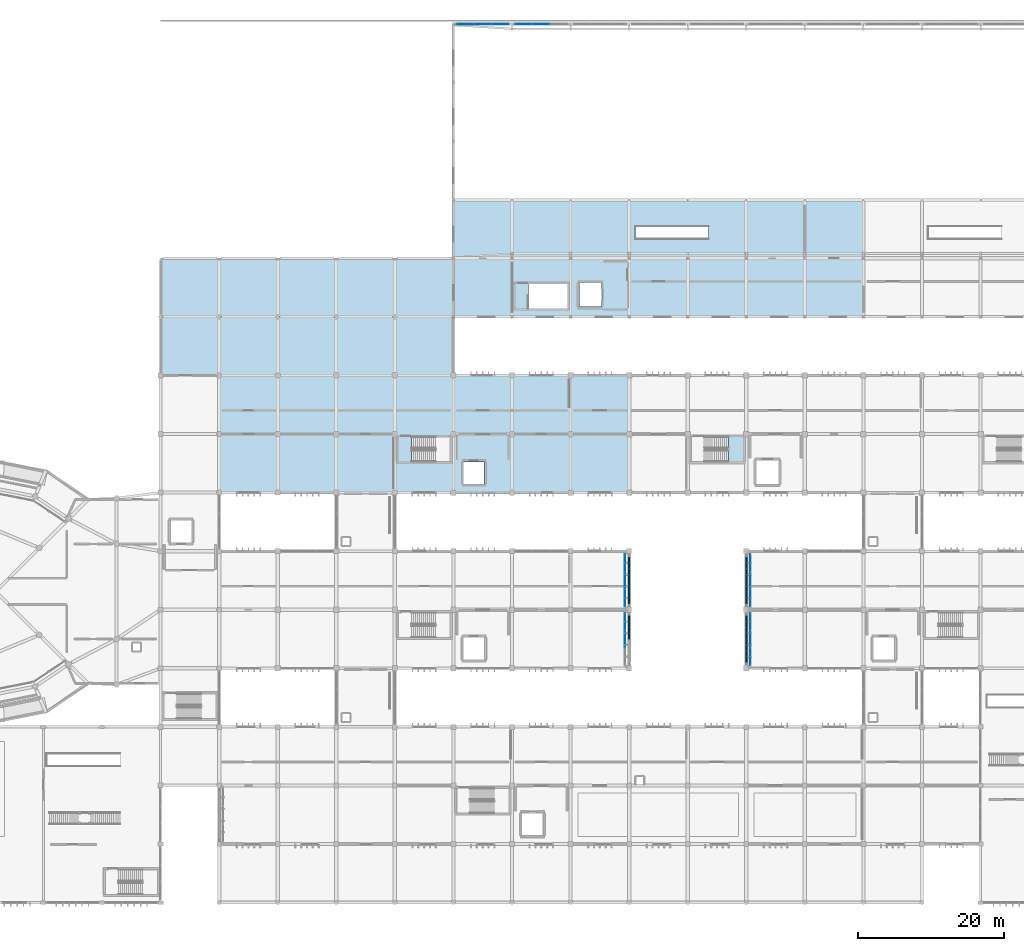
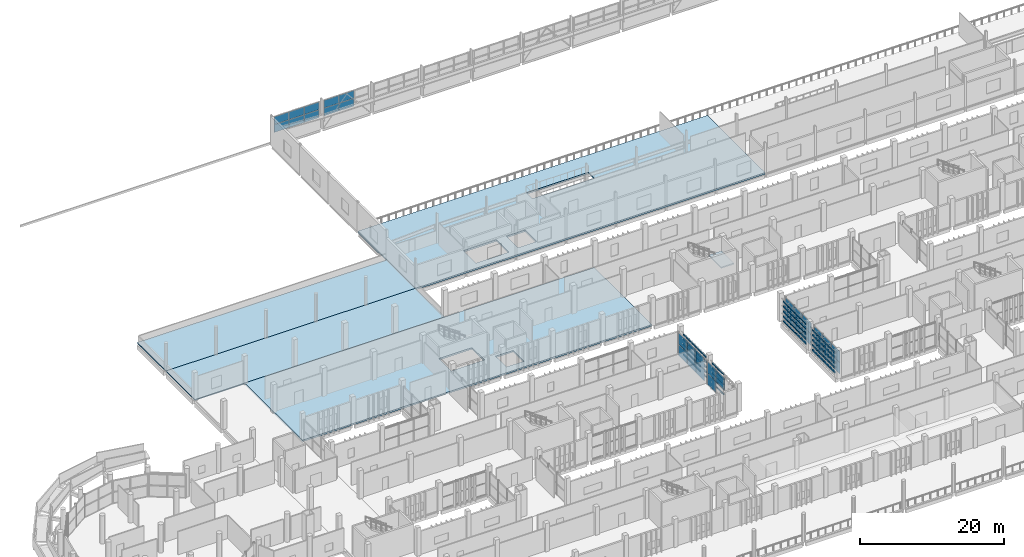
# One storey, part 72 of 106: 101 plates, 5 slabs, 7 elements without a shape of their own.
"""IFC4 building model written with IfcOpenShell, lengths in metres."""

from ifc_helpers import new_model, si_unit, direction, frame, origin, origin_2d, place, context, subcontext, project, spatial, polyline, rectangle, outline, extrude, material, layer, layer_set, type_object, element, aggregate, save


model = new_model("IFC4")

# Units and contexts
model_context = context("Model", 3, precision=1e-05, world=origin(), true_north=direction((0.0, 1.0)))
body_context = subcontext(model_context, "Body", "Model", "MODEL_VIEW")
ifc_project = project(units=[si_unit("LENGTHUNIT", "METRE"), si_unit("AREAUNIT", "SQUARE_METRE"), si_unit("VOLUMEUNIT", "CUBIC_METRE"), si_unit("PLANEANGLEUNIT", "RADIAN"), si_unit("MASSUNIT", "GRAM", prefix="KILO")], contexts=[model_context])

# Site, building, storey
site_placement = place(None, origin())
site = spatial("IfcSite", under=ifc_project, at=site_placement, CompositionType="ELEMENT")
building_placement = place(site_placement, origin())
building = spatial("IfcBuilding", under=site, at=building_placement, Name="Jelvoka-Kovrelna Polytechnic", CompositionType="ELEMENT")
storey_placement = place(building_placement, frame((0.0, 0.0, 4.800048828125)))
storey = spatial("IfcBuildingStorey", under=building, at=storey_placement, Name="L02", CompositionType="ELEMENT", Elevation=4.800048828125)

# Curtain wall, plates
ifc_material_1 = material(Name="Anodised aluminium 6063-T6", Category="aluminium")
ifc_layer_1 = layer(ifc_material_1, 0.159912109375)
ifc_layer_set_1 = layer_set([ifc_layer_1], Name="Anodised aluminium 6063-T6")
curtain_wall_type_1 = type_object("IfcCurtainWallType", Name="CW_Recessed_A", PredefinedType="NOTDEFINED", material=ifc_layer_set_1)
curtain_wall_1_placement = place(storey_placement, origin())
curtain_wall_1 = element("IfcCurtainWall", 1, at=curtain_wall_1_placement, inside=storey, type_object=curtain_wall_type_1, Name="L02 glazed curtain wall 019", PredefinedType="NOTDEFINED")
ifc_material_2 = material(Name="Solar-control double glazing", Category="glass")
ifc_layer_2 = layer(ifc_material_2, 0.028076171875)
ifc_layer_set_2 = layer_set([ifc_layer_2], Name="Solar-control double glazing")
plate_type_1 = type_object("IfcPlateType", Name="Panel_GP-01", PredefinedType="CURTAIN_PANEL", material=ifc_layer_set_2)
plate_1_placement = place(storey_placement, frame((111.43994140625, 38.385009765625, 0.052001953125), z_axis=(0.0, 0.0, 1.0), x_axis=(0.0, -1.0, 0.0)))
plate_1 = element("IfcPlate", 2, at=plate_1_placement, type_object=plate_type_1, Name="CW-01 panel 1.1", PredefinedType="CURTAIN_PANEL", context=body_context, shape_type="SweptSolid", body=[
    extrude(rectangle(XDim=2.326171875, YDim=0.028076171875, at=origin_2d()), origin(), (0.0, 0.0, 1.0), 1.901123046875),
])
plate_2_placement = place(storey_placement, frame((111.43994140625, 38.385009765625, 1.996826171875), z_axis=(0.0, 0.0, 1.0), x_axis=(0.0, -1.0, 0.0)))
plate_2 = element("IfcPlate", 3, at=plate_2_placement, type_object=plate_type_1, Name="CW-01 panel 1.2", PredefinedType="CURTAIN_PANEL", context=body_context, shape_type="SweptSolid", body=[
    extrude(rectangle(XDim=2.326171875, YDim=0.028076171875, at=origin_2d()), origin(), (0.0, 0.0, 1.0), 1.901123046875),
])
plate_3_placement = place(storey_placement, frame((111.43994140625, 36.0, 1.996826171875), z_axis=(0.0, 0.0, 1.0), x_axis=(0.0, -1.0, 0.0)))
plate_3 = element("IfcPlate", 4, at=plate_3_placement, type_object=plate_type_1, Name="CW-01 panel 2.2", PredefinedType="CURTAIN_PANEL", context=body_context, shape_type="SweptSolid", body=[
    extrude(rectangle(XDim=2.356201171875, YDim=0.028076171875, at=origin_2d()), origin(), (0.0, 0.0, 1.0), 1.901123046875),
])
aggregate(curtain_wall_1, [plate_1, plate_2, plate_3])

curtain_wall_2_placement = place(storey_placement, origin())
curtain_wall_2 = element("IfcCurtainWall", 5, at=curtain_wall_2_placement, inside=storey, type_object=curtain_wall_type_1, Name="L02 glazed curtain wall 020", PredefinedType="NOTDEFINED")
plate_4_placement = place(storey_placement, frame((111.43994140625, 46.385009765625, 0.052001953125), z_axis=(0.0, 0.0, 1.0), x_axis=(0.0, -1.0, 0.0)))
plate_4 = element("IfcPlate", 6, at=plate_4_placement, type_object=plate_type_1, Name="CW-01 panel 1.1", PredefinedType="CURTAIN_PANEL", context=body_context, shape_type="SweptSolid", body=[
    extrude(rectangle(XDim=2.326171875, YDim=0.028076171875, at=origin_2d()), origin(), (0.0, 0.0, 1.0), 1.901123046875),
])
plate_5_placement = place(storey_placement, frame((111.43994140625, 46.385009765625, 1.996826171875), z_axis=(0.0, 0.0, 1.0), x_axis=(0.0, -1.0, 0.0)))
plate_5 = element("IfcPlate", 7, at=plate_5_placement, type_object=plate_type_1, Name="CW-01 panel 1.2", PredefinedType="CURTAIN_PANEL", context=body_context, shape_type="SweptSolid", body=[
    extrude(rectangle(XDim=2.326171875, YDim=0.028076171875, at=origin_2d()), origin(), (0.0, 0.0, 1.0), 1.901123046875),
])
plate_6_placement = place(storey_placement, frame((111.43994140625, 44.0, 0.052001953125), z_axis=(0.0, 0.0, 1.0), x_axis=(0.0, -1.0, 0.0)))
plate_6 = element("IfcPlate", 8, at=plate_6_placement, type_object=plate_type_1, Name="CW-01 panel 2.1", PredefinedType="CURTAIN_PANEL", context=body_context, shape_type="SweptSolid", body=[
    extrude(rectangle(XDim=2.356201171875, YDim=0.028076171875, at=origin_2d()), origin(), (0.0, 0.0, 1.0), 1.901123046875),
])
plate_7_placement = place(storey_placement, frame((111.43994140625, 44.0, 1.996826171875), z_axis=(0.0, 0.0, 1.0), x_axis=(0.0, -1.0, 0.0)))
plate_7 = element("IfcPlate", 9, at=plate_7_placement, type_object=plate_type_1, Name="CW-01 panel 2.2", PredefinedType="CURTAIN_PANEL", context=body_context, shape_type="SweptSolid", body=[
    extrude(rectangle(XDim=2.356201171875, YDim=0.028076171875, at=origin_2d()), origin(), (0.0, 0.0, 1.0), 1.901123046875),
])
plate_8_placement = place(storey_placement, frame((111.43994140625, 41.614990234375, 0.052001953125), z_axis=(0.0, 0.0, 1.0), x_axis=(0.0, -1.0, 0.0)))
plate_8 = element("IfcPlate", 10, at=plate_8_placement, type_object=plate_type_1, Name="CW-01 panel 3.1", PredefinedType="CURTAIN_PANEL", context=body_context, shape_type="SweptSolid", body=[
    extrude(rectangle(XDim=2.326171875, YDim=0.028076171875, at=origin_2d()), origin(), (0.0, 0.0, 1.0), 1.901123046875),
])
plate_9_placement = place(storey_placement, frame((111.43994140625, 41.614990234375, 1.996826171875), z_axis=(0.0, 0.0, 1.0), x_axis=(0.0, -1.0, 0.0)))
plate_9 = element("IfcPlate", 11, at=plate_9_placement, type_object=plate_type_1, Name="CW-01 panel 3.2", PredefinedType="CURTAIN_PANEL", context=body_context, shape_type="SweptSolid", body=[
    extrude(rectangle(XDim=2.326171875, YDim=0.028076171875, at=origin_2d()), origin(), (0.0, 0.0, 1.0), 1.901123046875),
])
aggregate(curtain_wall_2, [plate_4, plate_5, plate_6, plate_7, plate_8, plate_9])

curtain_wall_3_placement = place(storey_placement, origin())
curtain_wall_3 = element("IfcCurtainWall", 12, at=curtain_wall_3_placement, inside=storey, type_object=curtain_wall_type_1, Name="L02 glazed curtain wall 050", PredefinedType="NOTDEFINED")
plate_10_placement = place(storey_placement, frame((128.56005859375, 33.614990234375, 0.052001953125), z_axis=(0.0, 0.0, 1.0), x_axis=(0.0, 1.0, 0.0)))
plate_10 = element("IfcPlate", 13, at=plate_10_placement, type_object=plate_type_1, Name="CW-01 panel 1.1", PredefinedType="CURTAIN_PANEL", context=body_context, shape_type="SweptSolid", body=[
    extrude(rectangle(XDim=2.326171875, YDim=0.028076171875, at=origin_2d()), origin(), (0.0, 0.0, 1.0), 1.901123046875),
])
plate_11_placement = place(storey_placement, frame((128.56005859375, 33.614990234375, 1.996826171875), z_axis=(0.0, 0.0, 1.0), x_axis=(0.0, 1.0, 0.0)))
plate_11 = element("IfcPlate", 14, at=plate_11_placement, type_object=plate_type_1, Name="CW-01 panel 1.2", PredefinedType="CURTAIN_PANEL", context=body_context, shape_type="SweptSolid", body=[
    extrude(rectangle(XDim=2.326171875, YDim=0.028076171875, at=origin_2d()), origin(), (0.0, 0.0, 1.0), 1.901123046875),
])
plate_12_placement = place(storey_placement, frame((128.56005859375, 36.0, 0.052001953125), z_axis=(0.0, 0.0, 1.0), x_axis=(0.0, 1.0, 0.0)))
plate_12 = element("IfcPlate", 15, at=plate_12_placement, type_object=plate_type_1, Name="CW-01 panel 2.1", PredefinedType="CURTAIN_PANEL", context=body_context, shape_type="SweptSolid", body=[
    extrude(rectangle(XDim=2.356201171875, YDim=0.028076171875, at=origin_2d()), origin(), (0.0, 0.0, 1.0), 1.901123046875),
])
plate_13_placement = place(storey_placement, frame((128.56005859375, 36.0, 1.996826171875), z_axis=(0.0, 0.0, 1.0), x_axis=(0.0, 1.0, 0.0)))
plate_13 = element("IfcPlate", 16, at=plate_13_placement, type_object=plate_type_1, Name="CW-01 panel 2.2", PredefinedType="CURTAIN_PANEL", context=body_context, shape_type="SweptSolid", body=[
    extrude(rectangle(XDim=2.356201171875, YDim=0.028076171875, at=origin_2d()), origin(), (0.0, 0.0, 1.0), 1.901123046875),
])
plate_14_placement = place(storey_placement, frame((128.56005859375, 38.385009765625, 0.052001953125), z_axis=(0.0, 0.0, 1.0), x_axis=(0.0, 1.0, 0.0)))
plate_14 = element("IfcPlate", 17, at=plate_14_placement, type_object=plate_type_1, Name="CW-01 panel 3.1", PredefinedType="CURTAIN_PANEL", context=body_context, shape_type="SweptSolid", body=[
    extrude(rectangle(XDim=2.326171875, YDim=0.028076171875, at=origin_2d()), origin(), (0.0, 0.0, 1.0), 1.901123046875),
])
plate_15_placement = place(storey_placement, frame((128.56005859375, 38.385009765625, 1.996826171875), z_axis=(0.0, 0.0, 1.0), x_axis=(0.0, 1.0, 0.0)))
plate_15 = element("IfcPlate", 18, at=plate_15_placement, type_object=plate_type_1, Name="CW-01 panel 3.2", PredefinedType="CURTAIN_PANEL", context=body_context, shape_type="SweptSolid", body=[
    extrude(rectangle(XDim=2.326171875, YDim=0.028076171875, at=origin_2d()), origin(), (0.0, 0.0, 1.0), 1.901123046875),
])
aggregate(curtain_wall_3, [plate_10, plate_11, plate_12, plate_13, plate_14, plate_15])

curtain_wall_4_placement = place(storey_placement, origin())
curtain_wall_4 = element("IfcCurtainWall", 19, at=curtain_wall_4_placement, inside=storey, type_object=curtain_wall_type_1, Name="L02 glazed curtain wall 051", PredefinedType="NOTDEFINED")
plate_16_placement = place(storey_placement, frame((128.56005859375, 41.614990234375, 0.052001953125), z_axis=(0.0, 0.0, 1.0), x_axis=(0.0, 1.0, 0.0)))
plate_16 = element("IfcPlate", 20, at=plate_16_placement, type_object=plate_type_1, Name="CW-01 panel 1.1", PredefinedType="CURTAIN_PANEL", context=body_context, shape_type="SweptSolid", body=[
    extrude(rectangle(XDim=2.326171875, YDim=0.028076171875, at=origin_2d()), origin(), (0.0, 0.0, 1.0), 1.901123046875),
])
plate_17_placement = place(storey_placement, frame((128.56005859375, 41.614990234375, 1.996826171875), z_axis=(0.0, 0.0, 1.0), x_axis=(0.0, 1.0, 0.0)))
plate_17 = element("IfcPlate", 21, at=plate_17_placement, type_object=plate_type_1, Name="CW-01 panel 1.2", PredefinedType="CURTAIN_PANEL", context=body_context, shape_type="SweptSolid", body=[
    extrude(rectangle(XDim=2.326171875, YDim=0.028076171875, at=origin_2d()), origin(), (0.0, 0.0, 1.0), 1.901123046875),
])
plate_18_placement = place(storey_placement, frame((128.56005859375, 44.0, 0.052001953125), z_axis=(0.0, 0.0, 1.0), x_axis=(0.0, 1.0, 0.0)))
plate_18 = element("IfcPlate", 22, at=plate_18_placement, type_object=plate_type_1, Name="CW-01 panel 2.1", PredefinedType="CURTAIN_PANEL", context=body_context, shape_type="SweptSolid", body=[
    extrude(rectangle(XDim=2.356201171875, YDim=0.028076171875, at=origin_2d()), origin(), (0.0, 0.0, 1.0), 1.901123046875),
])
plate_19_placement = place(storey_placement, frame((128.56005859375, 44.0, 1.996826171875), z_axis=(0.0, 0.0, 1.0), x_axis=(0.0, 1.0, 0.0)))
plate_19 = element("IfcPlate", 23, at=plate_19_placement, type_object=plate_type_1, Name="CW-01 panel 2.2", PredefinedType="CURTAIN_PANEL", context=body_context, shape_type="SweptSolid", body=[
    extrude(rectangle(XDim=2.356201171875, YDim=0.028076171875, at=origin_2d()), origin(), (0.0, 0.0, 1.0), 1.901123046875),
])
plate_20_placement = place(storey_placement, frame((128.56005859375, 46.385009765625, 0.052001953125), z_axis=(0.0, 0.0, 1.0), x_axis=(0.0, 1.0, 0.0)))
plate_20 = element("IfcPlate", 24, at=plate_20_placement, type_object=plate_type_1, Name="CW-01 panel 3.1", PredefinedType="CURTAIN_PANEL", context=body_context, shape_type="SweptSolid", body=[
    extrude(rectangle(XDim=2.326171875, YDim=0.028076171875, at=origin_2d()), origin(), (0.0, 0.0, 1.0), 1.901123046875),
])
plate_21_placement = place(storey_placement, frame((128.56005859375, 46.385009765625, 1.996826171875), z_axis=(0.0, 0.0, 1.0), x_axis=(0.0, 1.0, 0.0)))
plate_21 = element("IfcPlate", 25, at=plate_21_placement, type_object=plate_type_1, Name="CW-01 panel 3.2", PredefinedType="CURTAIN_PANEL", context=body_context, shape_type="SweptSolid", body=[
    extrude(rectangle(XDim=2.326171875, YDim=0.028076171875, at=origin_2d()), origin(), (0.0, 0.0, 1.0), 1.901123046875),
])
aggregate(curtain_wall_4, [plate_16, plate_17, plate_18, plate_19, plate_20, plate_21])

ifc_material_3 = material(Name="Anodised aluminium 6063-T6", Category="aluminium")
ifc_layer_3 = layer(ifc_material_3, 0.199951171875)
ifc_layer_set_3 = layer_set([ifc_layer_3], Name="Anodised aluminium 6063-T6")
curtain_wall_type_2 = type_object("IfcCurtainWallType", Name="CW_Clerestory", PredefinedType="NOTDEFINED", material=ifc_layer_set_3)
curtain_wall_5_placement = place(storey_placement, origin())
curtain_wall_5 = element("IfcCurtainWall", 26, at=curtain_wall_5_placement, inside=storey, type_object=curtain_wall_type_2, Name="L02 glazed curtain wall 169", PredefinedType="NOTDEFINED")
ifc_material_4 = material(Name="Solar-control double glazing", Category="glass")
ifc_layer_4 = layer(ifc_material_4, 0.035888671875)
ifc_layer_set_4 = layer_set([ifc_layer_4], Name="Solar-control double glazing")
plate_type_2 = type_object("IfcPlateType", Name="Panel_GP-03", PredefinedType="CURTAIN_PANEL", material=ifc_layer_set_4)
plate_22_placement = place(storey_placement, frame((89.5908203125, 120.0, 2.011962890625), z_axis=(0.0, 0.0, 1.0), x_axis=(1.0, 0.0, 0.0)))
plate_22 = element("IfcPlate", 27, at=plate_22_placement, type_object=plate_type_2, Name="CW-03 panel 1.1", PredefinedType="CURTAIN_PANEL", context=body_context, shape_type="SweptSolid", body=[
    extrude(rectangle(XDim=2.337890625, YDim=0.035888671875, at=origin_2d()), origin(), (0.0, 0.0, 1.0), 1.296142578125),
])
plate_23_placement = place(storey_placement, frame((89.5908203125, 120.0, 3.362060546875), z_axis=(0.0, 0.0, 1.0), x_axis=(1.0, 0.0, 0.0)))
plate_23 = element("IfcPlate", 28, at=plate_23_placement, type_object=plate_type_2, Name="CW-03 panel 1.2", PredefinedType="CURTAIN_PANEL", context=body_context, shape_type="SweptSolid", body=[
    extrude(rectangle(XDim=2.337890625, YDim=0.035888671875, at=origin_2d()), origin(), (0.0, 0.0, 1.0), 1.296142578125),
])
plate_24_placement = place(storey_placement, frame((92.0, 120.0, 2.011962890625), z_axis=(0.0, 0.0, 1.0), x_axis=(1.0, 0.0, 0.0)))
plate_24 = element("IfcPlate", 29, at=plate_24_placement, type_object=plate_type_2, Name="CW-03 panel 2.1", PredefinedType="CURTAIN_PANEL", context=body_context, shape_type="SweptSolid", body=[
    extrude(rectangle(XDim=2.372802734375, YDim=0.035888671875, at=origin_2d()), origin(), (0.0, 0.0, 1.0), 1.296142578125),
])
plate_25_placement = place(storey_placement, frame((92.0, 120.0, 3.362060546875), z_axis=(0.0, 0.0, 1.0), x_axis=(1.0, 0.0, 0.0)))
plate_25 = element("IfcPlate", 30, at=plate_25_placement, type_object=plate_type_2, Name="CW-03 panel 2.2", PredefinedType="CURTAIN_PANEL", context=body_context, shape_type="SweptSolid", body=[
    extrude(rectangle(XDim=2.372802734375, YDim=0.035888671875, at=origin_2d()), origin(), (0.0, 0.0, 1.0), 1.296142578125),
])
plate_26_placement = place(storey_placement, frame((94.4091796875, 120.0, 2.011962890625), z_axis=(0.0, 0.0, 1.0), x_axis=(1.0, 0.0, 0.0)))
plate_26 = element("IfcPlate", 31, at=plate_26_placement, type_object=plate_type_2, Name="CW-03 panel 3.1", PredefinedType="CURTAIN_PANEL", context=body_context, shape_type="SweptSolid", body=[
    extrude(rectangle(XDim=2.337890625, YDim=0.035888671875, at=origin_2d()), origin(), (0.0, 0.0, 1.0), 1.296142578125),
])
plate_27_placement = place(storey_placement, frame((94.4091796875, 120.0, 3.362060546875), z_axis=(0.0, 0.0, 1.0), x_axis=(1.0, 0.0, 0.0)))
plate_27 = element("IfcPlate", 32, at=plate_27_placement, type_object=plate_type_2, Name="CW-03 panel 3.2", PredefinedType="CURTAIN_PANEL", context=body_context, shape_type="SweptSolid", body=[
    extrude(rectangle(XDim=2.337890625, YDim=0.035888671875, at=origin_2d()), origin(), (0.0, 0.0, 1.0), 1.296142578125),
])
aggregate(curtain_wall_5, [plate_22, plate_23, plate_24, plate_25, plate_26, plate_27])

curtain_wall_6_placement = place(storey_placement, origin())
curtain_wall_6 = element("IfcCurtainWall", 33, at=curtain_wall_6_placement, inside=storey, type_object=curtain_wall_type_2, Name="L02 glazed curtain wall 170", PredefinedType="NOTDEFINED")
plate_28_placement = place(storey_placement, frame((97.5908203125, 120.0, 2.011962890625), z_axis=(0.0, 0.0, 1.0), x_axis=(1.0, 0.0, 0.0)))
plate_28 = element("IfcPlate", 34, at=plate_28_placement, type_object=plate_type_2, Name="CW-03 panel 1.1", PredefinedType="CURTAIN_PANEL", context=body_context, shape_type="SweptSolid", body=[
    extrude(rectangle(XDim=2.337890625, YDim=0.035888671875, at=origin_2d()), origin(), (0.0, 0.0, 1.0), 1.296142578125),
])
plate_29_placement = place(storey_placement, frame((97.5908203125, 120.0, 3.362060546875), z_axis=(0.0, 0.0, 1.0), x_axis=(1.0, 0.0, 0.0)))
plate_29 = element("IfcPlate", 35, at=plate_29_placement, type_object=plate_type_2, Name="CW-03 panel 1.2", PredefinedType="CURTAIN_PANEL", context=body_context, shape_type="SweptSolid", body=[
    extrude(rectangle(XDim=2.337890625, YDim=0.035888671875, at=origin_2d()), origin(), (0.0, 0.0, 1.0), 1.296142578125),
])
plate_30_placement = place(storey_placement, frame((100.0, 120.0, 2.011962890625), z_axis=(0.0, 0.0, 1.0), x_axis=(1.0, 0.0, 0.0)))
plate_30 = element("IfcPlate", 36, at=plate_30_placement, type_object=plate_type_2, Name="CW-03 panel 2.1", PredefinedType="CURTAIN_PANEL", context=body_context, shape_type="SweptSolid", body=[
    extrude(rectangle(XDim=2.372802734375, YDim=0.035888671875, at=origin_2d()), origin(), (0.0, 0.0, 1.0), 1.296142578125),
])
plate_31_placement = place(storey_placement, frame((100.0, 120.0, 3.362060546875), z_axis=(0.0, 0.0, 1.0), x_axis=(1.0, 0.0, 0.0)))
plate_31 = element("IfcPlate", 37, at=plate_31_placement, type_object=plate_type_2, Name="CW-03 panel 2.2", PredefinedType="CURTAIN_PANEL", context=body_context, shape_type="SweptSolid", body=[
    extrude(rectangle(XDim=2.372802734375, YDim=0.035888671875, at=origin_2d()), origin(), (0.0, 0.0, 1.0), 1.296142578125),
])
aggregate(curtain_wall_6, [plate_28, plate_29, plate_30, plate_31])

# Plates
ifc_material_5 = material(Name="Perforated fired terracotta block", Category="masonry")
ifc_layer_5 = layer(ifc_material_5, 0.159912109375)
ifc_layer_set_5 = layer_set([ifc_layer_5], Name="Perforated fired terracotta block")
plate_type_3 = type_object("IfcPlateType", Name="Screen_Terracotta_TP01", PredefinedType="USERDEFINED", material=ifc_layer_set_5)
for number, where, z_axis, x_axis, name in (
    (38, (111.97998046875, 36.800048828125, 0.2001953125), (0.0, 0.0, 1.0), (0.0, 1.0, 0.0), "L02 perforated terracotta lattice band 0211"),
    (39, (111.97998046875, 36.800048828125, 1.04248046875), (0.0, 0.0, 1.0), (0.0, 1.0, 0.0), "L02 perforated terracotta lattice band 0212"),
    (40, (111.97998046875, 36.800048828125, 1.884765625), (0.0, 0.0, 1.0), (0.0, 1.0, 0.0), "L02 perforated terracotta lattice band 0213"),
    (41, (111.97998046875, 36.800048828125, 2.7275390625), (0.0, 0.0, 1.0), (0.0, 1.0, 0.0), "L02 perforated terracotta lattice band 0214"),
    (42, (111.97998046875, 36.800048828125, 3.56982421875), (0.0, 0.0, 1.0), (0.0, 1.0, 0.0), "L02 perforated terracotta lattice band 0215"),
    (43, (111.97998046875, 38.39990234375, 0.2001953125), (0.0, 0.0, 1.0), (0.0, 1.0, 0.0), "L02 perforated terracotta lattice band 0216"),
    (44, (111.97998046875, 38.39990234375, 1.04248046875), (0.0, 0.0, 1.0), (0.0, 1.0, 0.0), "L02 perforated terracotta lattice band 0217"),
    (45, (111.97998046875, 38.39990234375, 1.884765625), (0.0, 0.0, 1.0), (0.0, 1.0, 0.0), "L02 perforated terracotta lattice band 0218"),
    (46, (111.97998046875, 38.39990234375, 2.7275390625), (0.0, 0.0, 1.0), (0.0, 1.0, 0.0), "L02 perforated terracotta lattice band 0219"),
    (47, (111.97998046875, 38.39990234375, 3.56982421875), (0.0, 0.0, 1.0), (0.0, 1.0, 0.0), "L02 perforated terracotta lattice band 0220"),
    (48, (111.97998046875, 41.60009765625, 0.2001953125), (0.0, 0.0, 1.0), (0.0, 1.0, 0.0), "L02 perforated terracotta lattice band 0221"),
    (49, (111.97998046875, 41.60009765625, 1.04248046875), (0.0, 0.0, 1.0), (0.0, 1.0, 0.0), "L02 perforated terracotta lattice band 0222"),
    (50, (111.97998046875, 41.60009765625, 1.884765625), (0.0, 0.0, 1.0), (0.0, 1.0, 0.0), "L02 perforated terracotta lattice band 0223"),
    (51, (111.97998046875, 41.60009765625, 2.7275390625), (0.0, 0.0, 1.0), (0.0, 1.0, 0.0), "L02 perforated terracotta lattice band 0224"),
    (52, (111.97998046875, 41.60009765625, 3.56982421875), (0.0, 0.0, 1.0), (0.0, 1.0, 0.0), "L02 perforated terracotta lattice band 0225"),
    (53, (111.97998046875, 43.199951171875, 0.2001953125), (0.0, 0.0, 1.0), (0.0, 1.0, 0.0), "L02 perforated terracotta lattice band 0226"),
    (54, (111.97998046875, 43.199951171875, 1.04248046875), (0.0, 0.0, 1.0), (0.0, 1.0, 0.0), "L02 perforated terracotta lattice band 0227"),
    (55, (111.97998046875, 43.199951171875, 1.884765625), (0.0, 0.0, 1.0), (0.0, 1.0, 0.0), "L02 perforated terracotta lattice band 0228"),
    (56, (111.97998046875, 43.199951171875, 2.7275390625), (0.0, 0.0, 1.0), (0.0, 1.0, 0.0), "L02 perforated terracotta lattice band 0229"),
    (57, (111.97998046875, 43.199951171875, 3.56982421875), (0.0, 0.0, 1.0), (0.0, 1.0, 0.0), "L02 perforated terracotta lattice band 0230"),
    (58, (111.97998046875, 44.800048828125, 0.2001953125), (0.0, 0.0, 1.0), (0.0, 1.0, 0.0), "L02 perforated terracotta lattice band 0231"),
    (59, (111.97998046875, 44.800048828125, 1.04248046875), (0.0, 0.0, 1.0), (0.0, 1.0, 0.0), "L02 perforated terracotta lattice band 0232"),
    (60, (111.97998046875, 44.800048828125, 1.884765625), (0.0, 0.0, 1.0), (0.0, 1.0, 0.0), "L02 perforated terracotta lattice band 0233"),
    (61, (111.97998046875, 44.800048828125, 2.7275390625), (0.0, 0.0, 1.0), (0.0, 1.0, 0.0), "L02 perforated terracotta lattice band 0234"),
    (62, (111.97998046875, 44.800048828125, 3.56982421875), (0.0, 0.0, 1.0), (0.0, 1.0, 0.0), "L02 perforated terracotta lattice band 0235"),
    (63, (111.97998046875, 46.39990234375, 0.2001953125), (0.0, 0.0, 1.0), (0.0, 1.0, 0.0), "L02 perforated terracotta lattice band 0236"),
    (64, (111.97998046875, 46.39990234375, 1.04248046875), (0.0, 0.0, 1.0), (0.0, 1.0, 0.0), "L02 perforated terracotta lattice band 0237"),
    (65, (111.97998046875, 46.39990234375, 1.884765625), (0.0, 0.0, 1.0), (0.0, 1.0, 0.0), "L02 perforated terracotta lattice band 0238"),
    (66, (111.97998046875, 46.39990234375, 2.7275390625), (0.0, 0.0, 1.0), (0.0, 1.0, 0.0), "L02 perforated terracotta lattice band 0239"),
    (67, (111.97998046875, 46.39990234375, 3.56982421875), (0.0, 0.0, 1.0), (0.0, 1.0, 0.0), "L02 perforated terracotta lattice band 0240"),
):
    element("IfcPlate", number, at=place(storey_placement, frame(where, z_axis=z_axis, x_axis=x_axis)), inside=storey, type_object=plate_type_3, Name=name, ObjectType="SCREEN PANEL", PredefinedType="USERDEFINED", context=body_context, shape_type="SweptSolid", body=[
        extrude(rectangle(XDim=1.60009765625, YDim=0.159912109375, at=origin_2d()), origin(), (0.0, 0.0, 1.0), 0.239990234375),
    ])
ifc_material_6 = material(Name="Perforated fired terracotta block", Category="masonry")
ifc_layer_6 = layer(ifc_material_6, 0.179931640625)
ifc_layer_set_6 = layer_set([ifc_layer_6], Name="Perforated fired terracotta block")
plate_type_4 = type_object("IfcPlateType", Name="Screen_Terracotta_TP02", PredefinedType="USERDEFINED", material=ifc_layer_set_6)
for number, where, z_axis, x_axis, name in (
    (68, (128.02001953125, 33.60009765625, 0.2001953125), (0.0, 0.0, 1.0), (0.0, 1.0, 0.0), "L02 perforated terracotta lattice band 0501"),
    (69, (128.02001953125, 33.60009765625, 1.04248046875), (0.0, 0.0, 1.0), (0.0, 1.0, 0.0), "L02 perforated terracotta lattice band 0502"),
    (70, (128.02001953125, 33.60009765625, 1.884765625), (0.0, 0.0, 1.0), (0.0, 1.0, 0.0), "L02 perforated terracotta lattice band 0503"),
    (71, (128.02001953125, 33.60009765625, 2.7275390625), (0.0, 0.0, 1.0), (0.0, 1.0, 0.0), "L02 perforated terracotta lattice band 0504"),
    (72, (128.02001953125, 33.60009765625, 3.56982421875), (0.0, 0.0, 1.0), (0.0, 1.0, 0.0), "L02 perforated terracotta lattice band 0505"),
    (73, (128.02001953125, 35.199951171875, 0.2001953125), (0.0, 0.0, 1.0), (0.0, 1.0, 0.0), "L02 perforated terracotta lattice band 0506"),
    (74, (128.02001953125, 35.199951171875, 1.04248046875), (0.0, 0.0, 1.0), (0.0, 1.0, 0.0), "L02 perforated terracotta lattice band 0507"),
    (75, (128.02001953125, 35.199951171875, 1.884765625), (0.0, 0.0, 1.0), (0.0, 1.0, 0.0), "L02 perforated terracotta lattice band 0508"),
    (76, (128.02001953125, 35.199951171875, 2.7275390625), (0.0, 0.0, 1.0), (0.0, 1.0, 0.0), "L02 perforated terracotta lattice band 0509"),
    (77, (128.02001953125, 35.199951171875, 3.56982421875), (0.0, 0.0, 1.0), (0.0, 1.0, 0.0), "L02 perforated terracotta lattice band 0510"),
    (78, (128.02001953125, 36.800048828125, 0.2001953125), (0.0, 0.0, 1.0), (0.0, 1.0, 0.0), "L02 perforated terracotta lattice band 0511"),
    (79, (128.02001953125, 36.800048828125, 1.04248046875), (0.0, 0.0, 1.0), (0.0, 1.0, 0.0), "L02 perforated terracotta lattice band 0512"),
    (80, (128.02001953125, 36.800048828125, 1.884765625), (0.0, 0.0, 1.0), (0.0, 1.0, 0.0), "L02 perforated terracotta lattice band 0513"),
    (81, (128.02001953125, 36.800048828125, 2.7275390625), (0.0, 0.0, 1.0), (0.0, 1.0, 0.0), "L02 perforated terracotta lattice band 0514"),
    (82, (128.02001953125, 36.800048828125, 3.56982421875), (0.0, 0.0, 1.0), (0.0, 1.0, 0.0), "L02 perforated terracotta lattice band 0515"),
    (83, (128.02001953125, 38.39990234375, 0.2001953125), (0.0, 0.0, 1.0), (0.0, 1.0, 0.0), "L02 perforated terracotta lattice band 0516"),
    (84, (128.02001953125, 38.39990234375, 1.04248046875), (0.0, 0.0, 1.0), (0.0, 1.0, 0.0), "L02 perforated terracotta lattice band 0517"),
    (85, (128.02001953125, 38.39990234375, 1.884765625), (0.0, 0.0, 1.0), (0.0, 1.0, 0.0), "L02 perforated terracotta lattice band 0518"),
    (86, (128.02001953125, 38.39990234375, 2.7275390625), (0.0, 0.0, 1.0), (0.0, 1.0, 0.0), "L02 perforated terracotta lattice band 0519"),
    (87, (128.02001953125, 38.39990234375, 3.56982421875), (0.0, 0.0, 1.0), (0.0, 1.0, 0.0), "L02 perforated terracotta lattice band 0520"),
    (88, (128.02001953125, 41.60009765625, 0.2001953125), (0.0, 0.0, 1.0), (0.0, 1.0, 0.0), "L02 perforated terracotta lattice band 0521"),
    (89, (128.02001953125, 41.60009765625, 1.04248046875), (0.0, 0.0, 1.0), (0.0, 1.0, 0.0), "L02 perforated terracotta lattice band 0522"),
    (90, (128.02001953125, 41.60009765625, 1.884765625), (0.0, 0.0, 1.0), (0.0, 1.0, 0.0), "L02 perforated terracotta lattice band 0523"),
    (91, (128.02001953125, 41.60009765625, 2.7275390625), (0.0, 0.0, 1.0), (0.0, 1.0, 0.0), "L02 perforated terracotta lattice band 0524"),
    (92, (128.02001953125, 41.60009765625, 3.56982421875), (0.0, 0.0, 1.0), (0.0, 1.0, 0.0), "L02 perforated terracotta lattice band 0525"),
    (93, (128.02001953125, 43.199951171875, 0.2001953125), (0.0, 0.0, 1.0), (0.0, 1.0, 0.0), "L02 perforated terracotta lattice band 0526"),
    (94, (128.02001953125, 43.199951171875, 1.04248046875), (0.0, 0.0, 1.0), (0.0, 1.0, 0.0), "L02 perforated terracotta lattice band 0527"),
    (95, (128.02001953125, 43.199951171875, 1.884765625), (0.0, 0.0, 1.0), (0.0, 1.0, 0.0), "L02 perforated terracotta lattice band 0528"),
    (96, (128.02001953125, 43.199951171875, 2.7275390625), (0.0, 0.0, 1.0), (0.0, 1.0, 0.0), "L02 perforated terracotta lattice band 0529"),
    (97, (128.02001953125, 43.199951171875, 3.56982421875), (0.0, 0.0, 1.0), (0.0, 1.0, 0.0), "L02 perforated terracotta lattice band 0530"),
    (98, (128.02001953125, 44.800048828125, 0.2001953125), (0.0, 0.0, 1.0), (0.0, 1.0, 0.0), "L02 perforated terracotta lattice band 0531"),
    (99, (128.02001953125, 44.800048828125, 1.04248046875), (0.0, 0.0, 1.0), (0.0, 1.0, 0.0), "L02 perforated terracotta lattice band 0532"),
    (100, (128.02001953125, 44.800048828125, 1.884765625), (0.0, 0.0, 1.0), (0.0, 1.0, 0.0), "L02 perforated terracotta lattice band 0533"),
    (101, (128.02001953125, 44.800048828125, 2.7275390625), (0.0, 0.0, 1.0), (0.0, 1.0, 0.0), "L02 perforated terracotta lattice band 0534"),
    (102, (128.02001953125, 44.800048828125, 3.56982421875), (0.0, 0.0, 1.0), (0.0, 1.0, 0.0), "L02 perforated terracotta lattice band 0535"),
    (103, (128.02001953125, 46.39990234375, 0.2001953125), (0.0, 0.0, 1.0), (0.0, 1.0, 0.0), "L02 perforated terracotta lattice band 0536"),
    (104, (128.02001953125, 46.39990234375, 1.04248046875), (0.0, 0.0, 1.0), (0.0, 1.0, 0.0), "L02 perforated terracotta lattice band 0537"),
    (105, (128.02001953125, 46.39990234375, 1.884765625), (0.0, 0.0, 1.0), (0.0, 1.0, 0.0), "L02 perforated terracotta lattice band 0538"),
    (106, (128.02001953125, 46.39990234375, 2.7275390625), (0.0, 0.0, 1.0), (0.0, 1.0, 0.0), "L02 perforated terracotta lattice band 0539"),
    (107, (128.02001953125, 46.39990234375, 3.56982421875), (0.0, 0.0, 1.0), (0.0, 1.0, 0.0), "L02 perforated terracotta lattice band 0540"),
):
    element("IfcPlate", number, at=place(storey_placement, frame(where, z_axis=z_axis, x_axis=x_axis)), inside=storey, type_object=plate_type_4, Name=name, ObjectType="SCREEN PANEL", PredefinedType="USERDEFINED", context=body_context, shape_type="SweptSolid", body=[
        extrude(rectangle(XDim=1.60009765625, YDim=0.179931640625, at=origin_2d()), origin(), (0.0, 0.0, 1.0), 0.239990234375),
    ])

# Slabs
ifc_material_7 = material(Name="Concrete C35/45", Category="concrete")
ifc_layer_7 = layer(ifc_material_7, 0.264892578125)
ifc_layer_set_7 = layer_set([ifc_layer_7], Name="Concrete C35/45")
slab_type_1 = type_object("IfcSlabType", Name="Slab_Floor_265", PredefinedType="FLOOR", material=ifc_layer_set_7)
slab_1_placement = place(storey_placement, frame((0.0, 0.0, -0.26513671875)))
element("IfcSlab", 108, at=slab_1_placement, inside=storey, type_object=slab_type_1, Name="L02 B3W structural slab", PredefinedType="FLOOR", context=body_context, shape_type="SweptSolid", body=[
    extrude(outline(polyline([(56.0, 56.0), (112.0, 56.0), (112.0, 72.0), (56.0, 72.0), (56.0, 56.0)]), holes=[polyline([(89.39990234375, 57.199951171875), (92.199951171875, 57.199951171875), (92.199951171875, 60.199951171875), (89.39990234375, 60.199951171875), (89.39990234375, 57.199951171875)]), polyline([(82.264892578125, 60.199951171875), (87.60009765625, 60.199951171875), (87.60009765625, 63.639892578125), (82.264892578125, 63.639892578125), (82.264892578125, 60.199951171875)])]), origin(), (0.0, 0.0, 1.0), 0.26513671875),
])
ifc_material_8 = material(Name="Concrete C35/45", Category="concrete")
ifc_layer_8 = layer(ifc_material_8, 0.280029296875)
ifc_layer_set_8 = layer_set([ifc_layer_8], Name="Concrete C35/45")
slab_type_2 = type_object("IfcSlabType", Name="Slab_Floor_280", PredefinedType="FLOOR", material=ifc_layer_set_8)
slab_2_placement = place(storey_placement, frame((0.0, 0.0, -0.280029296875)))
element("IfcSlab", 109, at=slab_2_placement, inside=storey, type_object=slab_type_2, Name="L02 V1MW structural slab", PredefinedType="FLOOR", context=body_context, shape_type="SweptSolid", body=[
    extrude(outline(polyline([(88.0, 80.0), (144.0, 80.0), (144.0, 96.0), (88.0, 96.0), (88.0, 80.0)]), holes=[polyline([(105.199951171875, 81.39990234375), (108.199951171875, 81.39990234375), (108.199951171875, 84.60009765625), (105.199951171875, 84.60009765625), (105.199951171875, 81.39990234375)]), polyline([(98.264892578125, 81.10009765625), (103.60009765625, 81.10009765625), (103.60009765625, 84.5400390625), (98.264892578125, 84.5400390625), (98.264892578125, 81.10009765625)]), polyline([(112.89990234375, 90.675048828125), (122.824951171875, 90.675048828125), (122.824951171875, 92.324951171875), (112.89990234375, 92.324951171875), (112.89990234375, 90.675048828125)])]), origin(), (0.0, 0.0, 1.0), 0.280029296875),
])
ifc_material_9 = material(Name="Concrete C40/50", Category="concrete")
ifc_layer_9 = layer(ifc_material_9, 0.18994140625)
ifc_layer_set_9 = layer_set([ifc_layer_9], Name="Concrete C40/50")
slab_type_3 = type_object("IfcSlabType", Name="Slab_Roof_Canopy_190", PredefinedType="ROOF", material=ifc_layer_set_9)
slab_3_placement = place(storey_placement, frame((0.0, 0.0, -0.18994140625)))
element("IfcSlab", 110, at=slab_3_placement, inside=storey, type_object=slab_type_3, Name="L02 north forecourt upper link canopy roof", PredefinedType="ROOF", context=body_context, shape_type="SweptSolid", body=[
    extrude(outline(polyline([(48.0, 72.0), (88.0, 72.0), (88.0, 80.0), (48.0, 80.0), (48.0, 72.0)])), origin(), (0.0, 0.0, 1.0), 0.18994140625),
])
slab_4_placement = place(storey_placement, frame((0.0, 0.0, -0.18994140625)))
element("IfcSlab", 111, at=slab_4_placement, inside=storey, type_object=slab_type_3, Name="L02 north entrance portico sun canopy roof", PredefinedType="ROOF", context=body_context, shape_type="SweptSolid", body=[
    extrude(outline(polyline([(48.0, 80.0), (88.0, 80.0), (88.0, 88.0), (48.0, 88.0), (48.0, 80.0)])), origin(), (0.0, 0.0, 1.0), 0.18994140625),
])

# Stair, slab
ifc_material_10 = material(Name="Concrete C35/45", Category="concrete")
stair_type = type_object("IfcStairType", Name="Stair_Dogleg_1580", PredefinedType="TWO_STRAIGHT_RUN_STAIR", material=ifc_material_10)
stair_placement = place(storey_placement, origin())
stair = element("IfcStair", 112, at=stair_placement, inside=storey, type_object=stair_type, Name="L02 ST11", PredefinedType="TWO_STRAIGHT_RUN_STAIR")
ifc_material_11 = material(Name="Concrete C35/45", Category="concrete")
ifc_layer_10 = layer(ifc_material_11, 0.199951171875)
ifc_layer_set_10 = layer_set([ifc_layer_10], Name="Concrete C35/45")
slab_type_4 = type_object("IfcSlabType", Name="Slab_Stair_Landing_200", PredefinedType="LANDING", material=ifc_layer_set_10)
slab_5_placement = place(storey_placement, frame((0.0, 0.0, 2.199951171875)))
slab_5 = element("IfcSlab", 113, at=slab_5_placement, type_object=slab_type_4, Name="ST11 landing 1", PredefinedType="LANDING", context=body_context, shape_type="SweptSolid", body=[
    extrude(outline(polyline([(125.550048828125, 60.199951171875), (127.60009765625, 60.199951171875), (127.60009765625, 63.639892578125), (125.550048828125, 63.639892578125), (125.550048828125, 60.199951171875)])), origin(), (0.0, 0.0, 1.0), 0.199951171875),
])
aggregate(stair, [slab_5])

save(model, "model.ifc")
